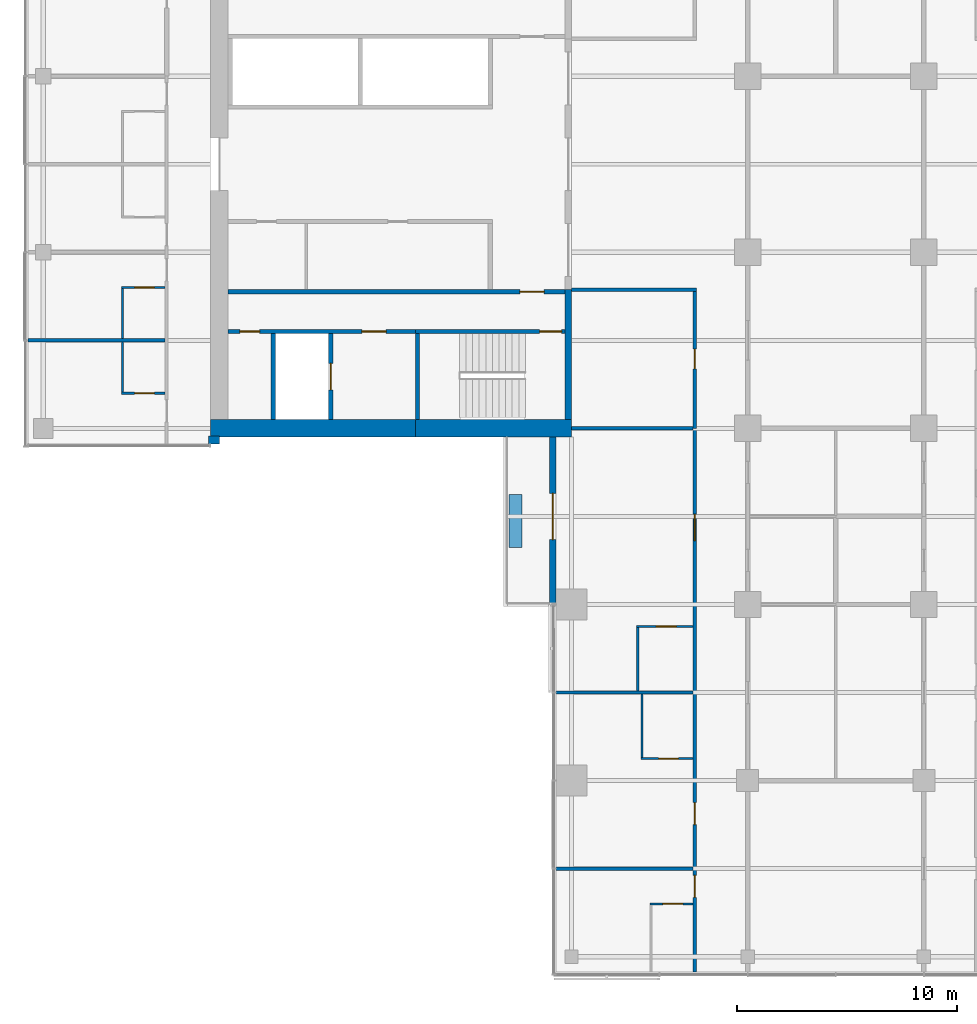
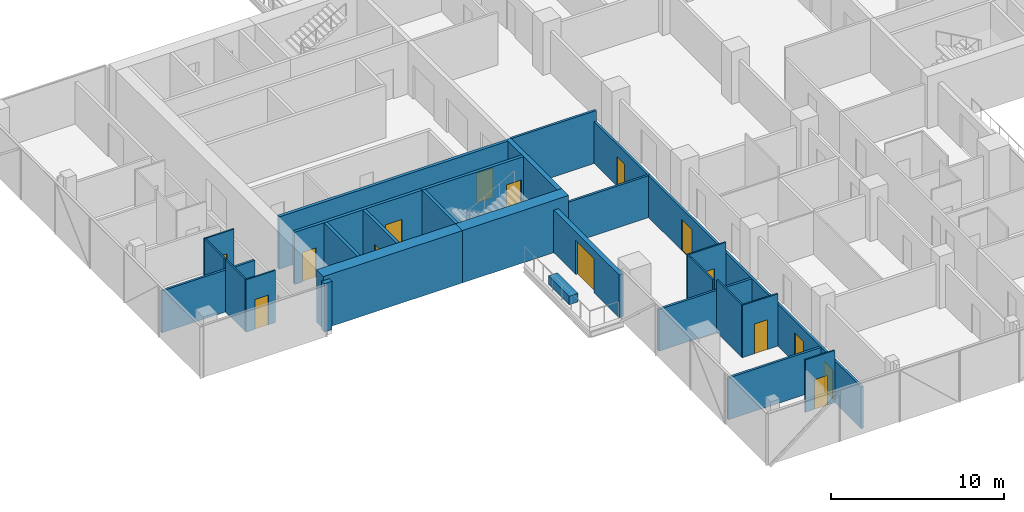
# One storey, part 15 of 27: 28 walls, 15 doors, 15 openings.
"""IFC4 building model written with IfcOpenShell, lengths in metres."""

import ifcopenshell
import ifcopenshell.guid

model = None  # the IFC model being written
_history = None  # IfcOwnerHistory: only IFC2X3 demands one
_inside = {}  # id of a spatial element -> (the spatial element, [elements in it])
_under = {}  # id of a project, library or spatial element -> (it, [spatial elements below it])
_declared = {}  # id of a project -> (the project, [libraries it declares])
_typed = {}  # id of a type object -> (the type object, [elements of that type])
_made_of = {}  # id of a material, layer set ... -> (it, [elements and type objects made of it])


def new_model(schema):
    """Start an empty IFC model of exactly this schema.

    Asked for "IFC4X3", IfcOpenShell would pick the latest addendum, in which some entities
    have other attributes; the version numbers below select the first issue.
    IFC2X3 requires an IfcOwnerHistory on every rooted entity: one is made here for all.
    """
    global model, _history
    if schema == "IFC4X3":
        model = ifcopenshell.file(schema_version=(4, 3, 0, 0))
    else:
        model = ifcopenshell.file(schema=schema)
    _inside.clear()
    _under.clear()
    _declared.clear()
    _typed.clear()
    _made_of.clear()
    _history = None
    if model.schema == "IFC2X3":
        org = make("IfcOrganization", Name="unknown")
        user = make(
            "IfcPersonAndOrganization",
            ThePerson=make("IfcPerson", FamilyName="unknown"),
            TheOrganization=org,
        )
        app = make(
            "IfcApplication",
            ApplicationDeveloper=org,
            Version="unknown",
            ApplicationFullName="unknown",
            ApplicationIdentifier="unknown",
        )
        _history = make(
            "IfcOwnerHistory",
            OwningUser=user,
            OwningApplication=app,
            ChangeAction="ADDED",
            CreationDate=0,
        )
    return model


def make(cls, **values):
    """One entity of the class cls with the attributes given. An attribute that is None is left unset."""
    return model.create_entity(
        cls, **{name: value for name, value in values.items() if value is not None}
    )


def rooted(cls, **values):
    """An entity with a GlobalId (a new one), such as an element, a storey or a relation."""
    return make(cls, GlobalId=ifcopenshell.guid.new(), OwnerHistory=_history, **values)


def si_unit(unit_type, name, prefix=None):
    """IfcSIUnit, for example si_unit("LENGTHUNIT", "METRE", prefix="MILLI")."""
    return make("IfcSIUnit", UnitType=unit_type, Prefix=prefix, Name=name)


def assignment(units):
    """IfcUnitAssignment: the units of a project."""
    return None if units is None else make("IfcUnitAssignment", Units=units)


def point(xyz):
    """IfcCartesianPoint."""
    return None if xyz is None else make("IfcCartesianPoint", Coordinates=xyz)


def direction(xyz):
    """IfcDirection."""
    return None if xyz is None else make("IfcDirection", DirectionRatios=xyz)


def frame(location, z_axis=None, x_axis=None):
    """IfcAxis2Placement3D, a coordinate frame: its origin and axes. An axis left out is left unset."""
    return make(
        "IfcAxis2Placement3D",
        Location=point(location),
        Axis=direction(z_axis),
        RefDirection=direction(x_axis),
    )


def frame_2d(location, x_axis=None):
    """IfcAxis2Placement2D, a coordinate frame in the plane: its origin and x axis."""
    return make(
        "IfcAxis2Placement2D", Location=point(location), RefDirection=direction(x_axis)
    )


def origin():
    """The frame at (0, 0, 0) with its axes left unset."""
    return frame((0.0, 0.0, 0.0))


def place(relative_to, where):
    """IfcLocalPlacement: puts the frame where relative to a parent placement (None: the world)."""
    return make(
        "IfcLocalPlacement", PlacementRelTo=relative_to, RelativePlacement=where
    )


def context(
    kind, dimensions, precision=None, world=None, true_north=None, identifier=None
):
    """IfcGeometricRepresentationContext, for example the 3D "Model" context."""
    return make(
        "IfcGeometricRepresentationContext",
        ContextIdentifier=identifier,
        ContextType=kind,
        CoordinateSpaceDimension=dimensions,
        Precision=precision,
        WorldCoordinateSystem=world,
        TrueNorth=true_north,
    )


def subcontext(parent, identifier, kind, view, scale=None):
    """IfcGeometricRepresentationSubContext, for example "Body" below "Model"."""
    return make(
        "IfcGeometricRepresentationSubContext",
        ContextIdentifier=identifier,
        ContextType=kind,
        ParentContext=parent,
        TargetScale=scale,
        TargetView=view,
    )


def project(units=None, contexts=None):
    """IfcProject with its units and contexts."""
    return rooted(
        "IfcProject",
        Name="project",
        RepresentationContexts=contexts,
        UnitsInContext=assignment(units),
    )


def spatial(cls, under=None, at=None, **own):
    """A site, building, storey or space (cls), placed at a placement, below another one or the project."""
    s = rooted(cls, ObjectPlacement=at, **own)
    if under is not None:
        _under.setdefault(under.id(), (under, []))[1].append(s)
    return s


def profile(cls, at=None, kind="AREA", **sizes):
    """A parametric profile (cls). Its sizes go by their IFC names, for example OverallWidth=200.0."""
    return make(cls, ProfileType=kind, Position=at, **sizes)


def rectangle(**sizes):
    """IfcRectangleProfileDef."""
    return profile("IfcRectangleProfileDef", **sizes)


def extrude(swept, where, along, depth):
    """IfcExtrudedAreaSolid: the profile swept, set in the frame where, extruded along a direction by depth."""
    return make(
        "IfcExtrudedAreaSolid",
        SweptArea=swept,
        Position=where,
        ExtrudedDirection=direction(along),
        Depth=depth,
    )


def shape(context_of_items, identifier, shape_type, items):
    """IfcShapeRepresentation: the items that make up one representation, for example the "Body"."""
    return make(
        "IfcShapeRepresentation",
        ContextOfItems=context_of_items,
        RepresentationIdentifier=identifier,
        RepresentationType=shape_type,
        Items=items,
    )


def material(Name=None, Category=None):
    """IfcMaterial."""
    return make("IfcMaterial", Name=Name, Category=Category)


def layer(
    of_material, thickness, ventilated=None, Name=None, Category=None, Priority=None
):
    """IfcMaterialLayer: one layer of a wall or slab, of a material (None: an air gap)."""
    return make(
        "IfcMaterialLayer",
        Material=of_material,
        LayerThickness=thickness,
        IsVentilated=ventilated,
        Name=Name,
        Category=Category,
        Priority=Priority,
    )


def layer_set(layers, Name=None):
    """IfcMaterialLayerSet."""
    return make("IfcMaterialLayerSet", MaterialLayers=layers, LayerSetName=Name)


def constituent(of_material, Name=None, Category=None, fraction=None):
    """IfcMaterialConstituent: one of the materials an element consists of."""
    return make(
        "IfcMaterialConstituent",
        Name=Name,
        Material=of_material,
        Fraction=fraction,
        Category=Category,
    )


def constituent_set(constituents=None, Name=None):
    """IfcMaterialConstituentSet."""
    return make(
        "IfcMaterialConstituentSet", Name=Name, MaterialConstituents=constituents
    )


def made_of(thing, what):
    """Note that an element or type object is made of a material, layer set ...; save() writes the relation."""
    if what is not None:
        _made_of.setdefault(what.id(), (what, []))[1].append(thing)
    return thing


def type_object(cls, material=None, **own):
    """A type object (cls), such as IfcWallType, which elements share."""
    return made_of(rooted(cls, **own), material)


def element(
    cls,
    number,
    at=None,
    inside=None,
    cuts=None,
    type_object=None,
    material=None,
    context=None,
    identifier="Body",
    shape_type=None,
    held_by="IfcProductDefinitionShape",
    body=None,
    shapes=None,
    **own,
):
    """One element of the class cls, such as IfcWall. Its Tag is "e" and its number.

    at: its placement. inside: the storey or other place that contains it. cuts: it is an
    opening in that element (IfcRelVoidsElement). A single representation is given by context,
    identifier, shape_type and body (its items); several are given by shapes. held_by: the class
    of the entity that holds the representations. save() writes the other relations.
    """
    e = rooted(cls, Tag="e%d" % number, ObjectPlacement=at, **own)
    if body is not None:
        shapes = [shape(context, identifier, shape_type, body)]
    if shapes is not None:
        e.Representation = make(held_by, Representations=shapes)
    if inside is not None:
        _inside.setdefault(inside.id(), (inside, []))[1].append(e)
    if cuts is not None:
        rooted(
            "IfcRelVoidsElement", RelatingBuildingElement=cuts, RelatedOpeningElement=e
        )
    if type_object is not None:
        _typed.setdefault(type_object.id(), (type_object, []))[1].append(e)
    return made_of(e, material)


def fill(opening, filler):
    """IfcRelFillsElement: the door or window that sits in an opening."""
    return rooted(
        "IfcRelFillsElement",
        RelatingOpeningElement=opening,
        RelatedBuildingElement=filler,
    )


def aggregate(whole, parts):
    """IfcRelAggregates: a whole, such as a stair, and the parts it consists of."""
    return rooted("IfcRelAggregates", RelatingObject=whole, RelatedObjects=parts)


def save(model, path):
    """Write the relations noted so far, then the file.

    IfcRelAggregates (storeys below a building ...), IfcRelContainedInSpatialStructure (elements
    in a storey), IfcRelDefinesByType, IfcRelAssociatesMaterial and IfcRelDeclares: one each for
    every whole, place, type object, material and project.
    """
    for whole, parts in _under.values():
        aggregate(whole, parts)
    for where, things in _inside.values():
        rooted(
            "IfcRelContainedInSpatialStructure",
            RelatedElements=things,
            RelatingStructure=where,
        )
    for kind, things in _typed.values():
        rooted("IfcRelDefinesByType", RelatedObjects=things, RelatingType=kind)
    for what, things in _made_of.values():
        rooted("IfcRelAssociatesMaterial", RelatedObjects=things, RelatingMaterial=what)
    for by, libraries in _declared.values():
        rooted("IfcRelDeclares", RelatingContext=by, RelatedDefinitions=libraries)
    model.write(path)


model = new_model("IFC4")

# Units and contexts
model_context = context("Model", 3, precision=1e-05, world=origin(), true_north=direction((0.0, 1.0)))
body_context = subcontext(model_context, "Body", "Model", "MODEL_VIEW")
ifc_project = project(units=[si_unit("LENGTHUNIT", "METRE"), si_unit("AREAUNIT", "SQUARE_METRE"), si_unit("VOLUMEUNIT", "CUBIC_METRE"), si_unit("PLANEANGLEUNIT", "RADIAN"), si_unit("MASSUNIT", "GRAM", prefix="KILO")], contexts=[model_context])

# Site, building, storey
site_placement = place(None, origin())
site = spatial("IfcSite", under=ifc_project, at=site_placement, CompositionType="ELEMENT")
building_placement = place(site_placement, origin())
building = spatial("IfcBuilding", under=site, at=building_placement, Name="Crosswind Convention Tower", CompositionType="ELEMENT")
storey_placement = place(building_placement, frame((0.0, 0.0, 79.39990234375)))
storey = spatial("IfcBuildingStorey", under=building, at=storey_placement, Name="L14", CompositionType="ELEMENT", Elevation=79.39990234375)

# Wall
ifc_material_1 = material(Name="Plasterboard partition", Category="gypsum")
ifc_layer_1 = layer(ifc_material_1, 0.14990234375)
ifc_layer_set_1 = layer_set([ifc_layer_1], Name="CORRIDOR WALL 150")
wall_type_1 = type_object("IfcWallType", Name="CORRIDOR WALL 150", PredefinedType="PARTITIONING", material=ifc_layer_set_1)
wall_1_placement = place(storey_placement, frame((113.0, 94.300048828125, 0.0), z_axis=(0.0, 0.0, 1.0), x_axis=(1.0, 0.0, 0.0)))
element("IfcWall", 1, at=wall_1_placement, inside=storey, type_object=wall_type_1, Name="Corridor Wall 23", PredefinedType="PARTITIONING", context=body_context, shape_type="SweptSolid", body=[
    extrude(rectangle(XDim=5.675048828125, YDim=0.14990234375, at=frame_2d((2.83740234375, 0.0))), origin(), (0.0, 0.0, 1.0), 3.7001953125),
])

# Wall, opening, door
wall_2_placement = place(storey_placement, frame((118.60009765625, 88.0, 0.0), z_axis=(0.0, 0.0, 1.0), x_axis=(0.0, 1.0, 0.0)))
wall_2 = element("IfcWall", 2, at=wall_2_placement, inside=storey, type_object=wall_type_1, Name="Corridor Wall 74", PredefinedType="PARTITIONING", context=body_context, shape_type="SweptSolid", body=[
    extrude(rectangle(XDim=6.22509765625, YDim=0.14990234375, at=frame_2d((3.112548828125, 0.0))), origin(), (0.0, 0.0, 1.0), 2.95654296875),
])
opening_1_placement = place(wall_2_placement, frame((2.699951171875, 0.0, 0.0)))
opening_1 = element("IfcOpeningElement", 3, at=opening_1_placement, cuts=wall_2, Name="Opening 14.004", PredefinedType="OPENING", context=body_context, shape_type="SweptSolid", body=[
    extrude(rectangle(XDim=0.89990234375, YDim=2.10009765625, at=frame_2d((0.449951171875, 1.050048828125))), frame((0.0, 0.0849609375, 0.0), z_axis=(0.0, -1.0, 0.0), x_axis=(1.0, 0.0, 0.0)), (0.0, 0.0, 1.0), 0.169921875),
])
ifc_material_2 = material(Name="Timber door", Category="wood")
door_type_1 = type_object("IfcDoorType", Name="WC DOOR 900X2100", OperationType="NOTDEFINED", PredefinedType="DOOR", material=ifc_material_2)
door_1_placement = place(opening_1_placement, origin())
door_1 = element("IfcDoor", 4, at=door_1_placement, inside=storey, type_object=door_type_1, Name="Door 14.004", ObjectType="D7", OperationType="SINGLE_SWING_RIGHT", OverallHeight=2.10009765625, OverallWidth=0.89990234375, PredefinedType="DOOR", context=body_context, shape_type="SweptSolid", body=[
    extrude(rectangle(XDim=0.89990234375, YDim=2.10009765625, at=frame_2d((0.449951171875, 1.050048828125))), frame((0.0, 0.02490234375, 0.0), z_axis=(0.0, -1.0, 0.0), x_axis=(1.0, 0.0, 0.0)), (0.0, 0.0, 1.0), 0.050048828125),
])
fill(opening_1, door_1)

# Wall
ifc_material_3 = material(Name="Concrete C50/60", Category="concrete")
ifc_layer_2 = layer(ifc_material_3, 0.300048828125)
ifc_layer_set_2 = layer_set([ifc_layer_2], Name="Concrete C50/60")
wall_type_2 = type_object("IfcWallType", Name="Concrete inner core wall 300", PredefinedType="SHEAR", material=ifc_layer_set_2)
wall_3_placement = place(storey_placement, frame((112.85009765625, 94.300048828125, 0.0), z_axis=(0.0, 0.0, 1.0), x_axis=(0.0, -1.0, 0.0)))
element("IfcWall", 5, at=wall_3_placement, inside=storey, type_object=wall_type_2, Name="Wall EP W L14", PredefinedType="SHEAR", context=body_context, shape_type="SweptSolid", body=[
    extrude(rectangle(XDim=5.900146484375, YDim=0.300048828125, at=frame_2d((2.9501953125, 0.0))), origin(), (0.0, 0.0, 1.0), 3.7001953125),
])

# Wall, opening, door
ifc_layer_3 = layer(ifc_material_3, 0.199951171875)
ifc_layer_set_3 = layer_set([ifc_layer_3], Name="Concrete C50/60")
wall_type_3 = type_object("IfcWallType", Name="Concrete shaft and stair wall 200", PredefinedType="SHEAR", material=ifc_layer_set_3)
wall_4_placement = place(storey_placement, frame((112.699951171875, 94.199951171875, 0.0), z_axis=(0.0, 0.0, 1.0), x_axis=(-1.0, 0.0, 0.0)))
wall_4 = element("IfcWall", 6, at=wall_4_placement, inside=storey, type_object=wall_type_3, Name="Wall HP W L14", PredefinedType="SHEAR", context=body_context, shape_type="SweptSolid", body=[
    extrude(rectangle(XDim=15.300048828125, YDim=0.199951171875, at=frame_2d((7.64990234375, 0.0))), origin(), (0.0, 0.0, 1.0), 3.7001953125),
])
opening_2_placement = place(wall_4_placement, frame((0.949951171875, 0.0, 0.0)))
opening_2 = element("IfcOpeningElement", 7, at=opening_2_placement, cuts=wall_4, Name="Opening D104", PredefinedType="OPENING", context=body_context, shape_type="SweptSolid", body=[
    extrude(rectangle(XDim=1.10009765625, YDim=2.10009765625, at=frame_2d((0.550048828125, 1.050048828125))), frame((0.0, 0.10986328125, 0.0), z_axis=(0.0, -1.0, 0.0), x_axis=(1.0, 0.0, 0.0)), (0.0, 0.0, 1.0), 0.219970703125),
])
ifc_material_4 = material(Name="Steel fire door", Category="steel")
door_type_2 = type_object("IfcDoorType", Name="Fire-rated single door 1100x2100", OperationType="NOTDEFINED", PredefinedType="DOOR", material=ifc_material_4)
door_2_placement = place(opening_2_placement, origin())
door_2 = element("IfcDoor", 8, at=door_2_placement, inside=storey, type_object=door_type_2, Name="Corridor door L14", ObjectType="D104", OperationType="SINGLE_SWING_LEFT", OverallHeight=2.10009765625, OverallWidth=1.10009765625, PredefinedType="DOOR", context=body_context, shape_type="SweptSolid", body=[
    extrude(rectangle(XDim=1.10009765625, YDim=2.10009765625, at=frame_2d((0.550048828125, 1.050048828125))), frame((0.0, 0.02490234375, 0.0), z_axis=(0.0, -1.0, 0.0), x_axis=(1.0, 0.0, 0.0)), (0.0, 0.0, 1.0), 0.050048828125),
])
fill(opening_2, door_2)

# Wall
wall_5_placement = place(storey_placement, frame((106.0, 92.300048828125, 0.0), z_axis=(0.0, 0.0, 1.0), x_axis=(0.0, -1.0, 0.0)))
element("IfcWall", 9, at=wall_5_placement, inside=storey, type_object=wall_type_3, Name="Wall PSE W L14", PredefinedType="SHEAR", context=body_context, shape_type="SweptSolid", body=[
    extrude(rectangle(XDim=3.900146484375, YDim=0.199951171875, at=frame_2d((1.9501953125, 0.0))), origin(), (0.0, 0.0, 1.0), 3.7001953125),
])

# Wall, opening, door
wall_6_placement = place(storey_placement, frame((102.050048828125, 92.300048828125, 0.0), z_axis=(0.0, 0.0, 1.0), x_axis=(0.0, -1.0, 0.0)))
wall_6 = element("IfcWall", 10, at=wall_6_placement, inside=storey, type_object=wall_type_3, Name="Wall PFLW W L14", PredefinedType="SHEAR", context=body_context, shape_type="SweptSolid", body=[
    extrude(rectangle(XDim=3.900146484375, YDim=0.199951171875, at=frame_2d((1.9501953125, 0.0))), origin(), (0.0, 0.0, 1.0), 3.7001953125),
])
opening_3_placement = place(wall_6_placement, frame((1.35009765625, 0.0, 0.0)))
opening_3 = element("IfcOpeningElement", 11, at=opening_3_placement, cuts=wall_6, Name="Opening LD1", PredefinedType="OPENING", context=body_context, shape_type="SweptSolid", body=[
    extrude(rectangle(XDim=1.199951171875, YDim=2.10009765625, at=frame_2d((0.60009765625, 1.050048828125))), frame((0.0, 0.10986328125, 0.0), z_axis=(0.0, -1.0, 0.0), x_axis=(1.0, 0.0, 0.0)), (0.0, 0.0, 1.0), 0.219970703125),
])
ifc_material_5 = material(Name="Stainless steel", Category="steel")
door_type_3 = type_object("IfcDoorType", Name="Lift landing door 1200x2100", OperationType="DOUBLE_DOOR_SLIDING", PredefinedType="DOOR", material=ifc_material_5)
door_3_placement = place(opening_3_placement, origin())
door_3 = element("IfcDoor", 12, at=door_3_placement, inside=storey, type_object=door_type_3, Name="Landing door FF2 L14", ObjectType="LD1", OperationType="DOUBLE_DOOR_SLIDING", OverallHeight=2.10009765625, OverallWidth=1.199951171875, PredefinedType="DOOR", context=body_context, shape_type="SweptSolid", body=[
    extrude(rectangle(XDim=1.199951171875, YDim=2.10009765625, at=frame_2d((0.60009765625, 1.050048828125))), frame((0.0, 0.02490234375, 0.0), z_axis=(0.0, -1.0, 0.0), x_axis=(1.0, 0.0, 0.0)), (0.0, 0.0, 1.0), 0.050048828125),
])
fill(opening_3, door_3)

# Wall
wall_7_placement = place(storey_placement, frame((99.449951171875, 92.300048828125, 0.0), z_axis=(0.0, 0.0, 1.0), x_axis=(0.0, -1.0, 0.0)))
element("IfcWall", 13, at=wall_7_placement, inside=storey, type_object=wall_type_3, Name="Wall PFSE W L14", PredefinedType="SHEAR", context=body_context, shape_type="SweptSolid", body=[
    extrude(rectangle(XDim=3.900146484375, YDim=0.199951171875, at=frame_2d((1.9501953125, 0.0))), origin(), (0.0, 0.0, 1.0), 3.7001953125),
])

# Wall, opening, door
wall_8_placement = place(storey_placement, frame((112.699951171875, 92.39990234375, 0.0), z_axis=(0.0, 0.0, 1.0), x_axis=(-1.0, 0.0, 0.0)))
wall_8 = element("IfcWall", 14, at=wall_8_placement, inside=storey, type_object=wall_type_3, Name="Wall PCW W L14", PredefinedType="SHEAR", context=body_context, shape_type="SweptSolid", body=[
    extrude(rectangle(XDim=6.800048828125, YDim=0.199951171875, at=frame_2d((3.39990234375, 0.0))), origin(), (0.0, 0.0, 1.0), 3.7001953125),
])
opening_4_placement = place(wall_8_placement, frame((0.14990234375, 0.0, 0.0)))
opening_4 = element("IfcOpeningElement", 15, at=opening_4_placement, cuts=wall_8, Name="Opening D103", PredefinedType="OPENING", context=body_context, shape_type="SweptSolid", body=[
    extrude(rectangle(XDim=1.0, YDim=2.10009765625, at=frame_2d((0.5, 1.050048828125))), frame((0.0, 0.10986328125, 0.0), z_axis=(0.0, -1.0, 0.0), x_axis=(1.0, 0.0, 0.0)), (0.0, 0.0, 1.0), 0.219970703125),
])
door_type_4 = type_object("IfcDoorType", Name="Fire-rated single door 1000x2100", OperationType="NOTDEFINED", PredefinedType="DOOR", material=ifc_material_4)
door_4_placement = place(opening_4_placement, origin())
door_4 = element("IfcDoor", 16, at=door_4_placement, inside=storey, type_object=door_type_4, Name="Stair ST3 door L14", ObjectType="D103", OperationType="SINGLE_SWING_LEFT", OverallHeight=2.10009765625, OverallWidth=1.0, PredefinedType="DOOR", context=body_context, shape_type="SweptSolid", body=[
    extrude(rectangle(XDim=1.0, YDim=2.10009765625, at=frame_2d((0.5, 1.050048828125))), frame((0.0, 0.02490234375, 0.0), z_axis=(0.0, -1.0, 0.0), x_axis=(1.0, 0.0, 0.0)), (0.0, 0.0, 1.0), 0.050048828125),
])
fill(opening_4, door_4)

# Wall, openings, doors
wall_9_placement = place(storey_placement, frame((105.89990234375, 92.39990234375, 0.0), z_axis=(0.0, 0.0, 1.0), x_axis=(-1.0, 0.0, 0.0)))
wall_9 = element("IfcWall", 17, at=wall_9_placement, inside=storey, type_object=wall_type_3, Name="Wall PCX W L14", PredefinedType="SHEAR", context=body_context, shape_type="SweptSolid", body=[
    extrude(rectangle(XDim=8.5, YDim=0.199951171875, at=frame_2d((4.25, 0.0))), origin(), (0.0, 0.0, 1.0), 3.7001953125),
])
opening_5_placement = place(wall_9_placement, frame((1.324951171875, 0.0, 0.0)))
opening_5 = element("IfcOpeningElement", 18, at=opening_5_placement, cuts=wall_9, Name="Opening D104", PredefinedType="OPENING", context=body_context, shape_type="SweptSolid", body=[
    extrude(rectangle(XDim=1.10009765625, YDim=2.10009765625, at=frame_2d((0.550048828125, 1.050048828125))), frame((0.0, 0.10986328125, 0.0), z_axis=(0.0, -1.0, 0.0), x_axis=(1.0, 0.0, 0.0)), (0.0, 0.0, 1.0), 0.219970703125),
])
opening_6_placement = place(wall_9_placement, frame((7.074951171875, 0.0, 0.0)))
opening_6 = element("IfcOpeningElement", 19, at=opening_6_placement, cuts=wall_9, Name="Opening D106", PredefinedType="OPENING", context=body_context, shape_type="SweptSolid", body=[
    extrude(rectangle(XDim=0.89990234375, YDim=2.10009765625, at=frame_2d((0.449951171875, 1.050048828125))), frame((0.0, 0.10986328125, 0.0), z_axis=(0.0, -1.0, 0.0), x_axis=(1.0, 0.0, 0.0)), (0.0, 0.0, 1.0), 0.219970703125),
])
door_5_placement = place(opening_5_placement, origin())
door_5 = element("IfcDoor", 20, at=door_5_placement, inside=storey, type_object=door_type_2, Name="Fire-fighting lobby FF2 door L14", ObjectType="D104", OperationType="SINGLE_SWING_RIGHT", OverallHeight=2.10009765625, OverallWidth=1.10009765625, PredefinedType="DOOR", context=body_context, shape_type="SweptSolid", body=[
    extrude(rectangle(XDim=1.10009765625, YDim=2.10009765625, at=frame_2d((0.550048828125, 1.050048828125))), frame((0.0, 0.02490234375, 0.0), z_axis=(0.0, -1.0, 0.0), x_axis=(1.0, 0.0, 0.0)), (0.0, 0.0, 1.0), 0.050048828125),
])
fill(opening_5, door_5)
door_type_5 = type_object("IfcDoorType", Name="Single leaf door 900x2100", OperationType="NOTDEFINED", PredefinedType="DOOR", material=ifc_material_2)
door_6_placement = place(opening_6_placement, origin())
door_6 = element("IfcDoor", 21, at=door_6_placement, inside=storey, type_object=door_type_5, Name="Door to comms room L14", ObjectType="D106", OperationType="SINGLE_SWING_RIGHT", OverallHeight=2.10009765625, OverallWidth=0.89990234375, PredefinedType="DOOR", context=body_context, shape_type="SweptSolid", body=[
    extrude(rectangle(XDim=0.89990234375, YDim=2.10009765625, at=frame_2d((0.449951171875, 1.050048828125))), frame((0.0, 0.02490234375, 0.0), z_axis=(0.0, -1.0, 0.0), x_axis=(1.0, 0.0, 0.0)), (0.0, 0.0, 1.0), 0.050048828125),
])
fill(opening_6, door_6)

# Walls
ifc_material_6 = material(Name="Acoustic plasterboard partition", Category="gypsum")
ifc_layer_4 = layer(ifc_material_6, 0.14990234375)
ifc_layer_set_4 = layer_set([ifc_layer_4], Name="GUEST ROOM WALL 150")
wall_type_4 = type_object("IfcWallType", Name="GUEST ROOM WALL 150", PredefinedType="PARTITIONING", material=ifc_layer_set_4)
for number, where, z_axis, x_axis, name in (
    (22, (112.300048828125, 68.0, 0.0), (0.0, 0.0, 1.0), (1.0, 0.0, 0.0), "Guest Room Wall 2"),
    (23, (112.300048828125, 76.0, 0.0), (0.0, 0.0, 1.0), (1.0, 0.0, 0.0), "Guest Room Wall 7"),
):
    element("IfcWall", number, at=place(storey_placement, frame(where, z_axis=z_axis, x_axis=x_axis)), inside=storey, type_object=wall_type_4, Name=name, PredefinedType="PARTITIONING", context=body_context, shape_type="SweptSolid", body=[
        extrude(rectangle(XDim=6.224853515625, YDim=0.14990234375, at=frame_2d((3.1123046875, 0.0))), origin(), (0.0, 0.0, 1.0), 2.962890625),
    ])
wall_10_placement = place(storey_placement, frame((113.0, 88.0, 0.0), z_axis=(0.0, 0.0, 1.0), x_axis=(1.0, 0.0, 0.0)))
element("IfcWall", 24, at=wall_10_placement, inside=storey, type_object=wall_type_4, Name="Guest Room Wall 17", PredefinedType="PARTITIONING", context=body_context, shape_type="SweptSolid", body=[
    extrude(rectangle(XDim=5.52490234375, YDim=0.14990234375, at=frame_2d((2.762451171875, 0.0))), origin(), (0.0, 0.0, 1.0), 2.95654296875),
])
wall_11_placement = place(storey_placement, frame((88.300048828125, 92.0, 0.0), z_axis=(0.0, 0.0, 1.0), x_axis=(1.0, 0.0, 0.0)))
element("IfcWall", 25, at=wall_11_placement, inside=storey, type_object=wall_type_4, Name="Guest Room Wall 21", PredefinedType="PARTITIONING", context=body_context, shape_type="SweptSolid", body=[
    extrude(rectangle(XDim=6.224853515625, YDim=0.14990234375, at=frame_2d((3.1123046875, 0.0))), origin(), (0.0, 0.0, 1.0), 2.962890625),
])

# Wall, openings, doors
wall_12_placement = place(storey_placement, frame((118.60009765625, 63.300048828125, 0.0), z_axis=(0.0, 0.0, 1.0), x_axis=(0.0, 1.0, 0.0)))
wall_12 = element("IfcWall", 26, at=wall_12_placement, inside=storey, type_object=wall_type_4, Name="Guest Room Wall 73", PredefinedType="PARTITIONING", context=body_context, shape_type="SweptSolid", body=[
    extrude(rectangle(XDim=24.699951171875, YDim=0.14990234375, at=frame_2d((12.35009765625, 0.0))), origin(), (0.0, 0.0, 1.0), 2.95654296875),
])
opening_7_placement = place(wall_12_placement, frame((19.60009765625, 0.0, 0.0)))
opening_7 = element("IfcOpeningElement", 27, at=opening_7_placement, cuts=wall_12, Name="Opening 14.027", PredefinedType="OPENING", context=body_context, shape_type="SweptSolid", body=[
    extrude(rectangle(XDim=1.199951171875, YDim=2.199951171875, at=frame_2d((0.60009765625, 1.10009765625))), frame((0.0, 0.0849609375, 0.0), z_axis=(0.0, -1.0, 0.0), x_axis=(1.0, 0.0, 0.0)), (0.0, 0.0, 1.0), 0.169921875),
])
opening_8_placement = place(wall_12_placement, frame((6.699951171875, 0.0, 0.0)))
opening_8 = element("IfcOpeningElement", 28, at=opening_8_placement, cuts=wall_12, Name="Opening 14.029", PredefinedType="OPENING", context=body_context, shape_type="SweptSolid", body=[
    extrude(rectangle(XDim=1.0, YDim=2.10009765625, at=frame_2d((0.5, 1.050048828125))), frame((0.0, 0.0849609375, 0.0), z_axis=(0.0, -1.0, 0.0), x_axis=(1.0, 0.0, 0.0)), (0.0, 0.0, 1.0), 0.169921875),
])
opening_9_placement = place(wall_12_placement, frame((3.39990234375, 0.0, 0.0)))
opening_9 = element("IfcOpeningElement", 29, at=opening_9_placement, cuts=wall_12, Name="Opening 14.031", PredefinedType="OPENING", context=body_context, shape_type="SweptSolid", body=[
    extrude(rectangle(XDim=1.0, YDim=2.10009765625, at=frame_2d((0.5, 1.050048828125))), frame((0.0, 0.0849609375, 0.0), z_axis=(0.0, -1.0, 0.0), x_axis=(1.0, 0.0, 0.0)), (0.0, 0.0, 1.0), 0.169921875),
])
ifc_material_7 = material(Name="Timber fire door", Category="wood")
door_type_6 = type_object("IfcDoorType", Name="GUEST ROOM DOOR 1000X2100", OperationType="NOTDEFINED", PredefinedType="DOOR", material=ifc_material_7)
door_7_placement = place(opening_8_placement, origin())
door_7 = element("IfcDoor", 30, at=door_7_placement, inside=storey, type_object=door_type_6, Name="Door 14.029", ObjectType="D1", OperationType="SINGLE_SWING_RIGHT", OverallHeight=2.10009765625, OverallWidth=1.0, PredefinedType="DOOR", context=body_context, shape_type="SweptSolid", body=[
    extrude(rectangle(XDim=1.0, YDim=2.10009765625, at=frame_2d((0.5, 1.050048828125))), frame((0.0, 0.02490234375, 0.0), z_axis=(0.0, -1.0, 0.0), x_axis=(1.0, 0.0, 0.0)), (0.0, 0.0, 1.0), 0.050048828125),
])
fill(opening_8, door_7)
door_8_placement = place(opening_9_placement, origin())
door_8 = element("IfcDoor", 31, at=door_8_placement, inside=storey, type_object=door_type_6, Name="Door 14.031", ObjectType="D1", OperationType="SINGLE_SWING_RIGHT", OverallHeight=2.10009765625, OverallWidth=1.0, PredefinedType="DOOR", context=body_context, shape_type="SweptSolid", body=[
    extrude(rectangle(XDim=1.0, YDim=2.10009765625, at=frame_2d((0.5, 1.050048828125))), frame((0.0, 0.02490234375, 0.0), z_axis=(0.0, -1.0, 0.0), x_axis=(1.0, 0.0, 0.0)), (0.0, 0.0, 1.0), 0.050048828125),
])
fill(opening_9, door_8)
door_type_7 = type_object("IfcDoorType", Name="SUITE DOOR 1200X2200", OperationType="DOUBLE_DOOR_SINGLE_SWING", PredefinedType="DOOR", material=ifc_material_7)
door_9_placement = place(opening_7_placement, origin())
door_9 = element("IfcDoor", 32, at=door_9_placement, inside=storey, type_object=door_type_7, Name="Door 14.027", ObjectType="D14", OperationType="DOUBLE_DOOR_SINGLE_SWING", OverallHeight=2.199951171875, OverallWidth=1.199951171875, PredefinedType="DOOR", context=body_context, shape_type="SweptSolid", body=[
    extrude(rectangle(XDim=1.199951171875, YDim=2.199951171875, at=frame_2d((0.60009765625, 1.10009765625))), frame((0.0, 0.02490234375, 0.0), z_axis=(0.0, -1.0, 0.0), x_axis=(1.0, 0.0, 0.0)), (0.0, 0.0, 1.0), 0.050048828125),
])
fill(opening_7, door_9)

# Walls
ifc_material_8 = material(Name="Concrete C30/37", Category="concrete")
ifc_layer_5 = layer(ifc_material_8, 0.60009765625)
ifc_layer_set_5 = layer_set([ifc_layer_5], Name="Concrete C30/37")
wall_type_5 = type_object("IfcWallType", Name="PLANTER BOX WALL 600", PredefinedType="SOLIDWALL", material=ifc_layer_set_5)
wall_13_placement = place(storey_placement, frame((110.449951171875, 85.0, 0.0), z_axis=(0.0, 0.0, 1.0), x_axis=(0.0, -1.0, 0.0)))
element("IfcWall", 33, at=wall_13_placement, inside=storey, type_object=wall_type_5, Name="PLANTER L14 S-W.1-1", PredefinedType="SOLIDWALL", context=body_context, shape_type="SweptSolid", body=[
    extrude(rectangle(XDim=2.39990234375, YDim=0.60009765625, at=frame_2d((1.199951171875, 0.0))), origin(), (0.0, 0.0, 1.0), 0.60009765625),
])
ifc_material_9 = material(Name="Terracotta rainscreen", Category="ceramic")
ifc_layer_6 = layer(ifc_material_9, 0.02001953125)
ifc_material_10 = material(Name="Mineral wool insulation", Category="insulation")
ifc_layer_7 = layer(ifc_material_10, 0.10009765625)
ifc_material_11 = material(Name="Concrete blockwork", Category="masonry")
ifc_layer_8 = layer(ifc_material_11, 0.236083984375)
ifc_layer_set_6 = layer_set([ifc_layer_6, ifc_layer_7, ifc_layer_8], Name="TERRACOTTA CORNER INFILL WALL 356")
wall_type_6 = type_object("IfcWallType", Name="TERRACOTTA CORNER INFILL WALL 356", PredefinedType="SOLIDWALL", material=ifc_layer_set_6)
wall_14_placement = place(storey_placement, frame((96.4951171875, 87.47802734375, 0.0), z_axis=(0.0, 0.0, 1.0), x_axis=(1.0, 0.0, 0.0)))
element("IfcWall", 34, at=wall_14_placement, inside=storey, type_object=wall_type_6, Name="Core corner infill wall L14 3", PredefinedType="SOLIDWALL", context=body_context, shape_type="SweptSolid", body=[
    extrude(rectangle(XDim=0.5048828125, YDim=0.35595703125, at=frame_2d((0.25244140625, 0.0))), origin(), (0.0, 0.0, 1.0), 3.420166015625),
])

# Wall, opening, door
ifc_layer_9 = layer(ifc_material_9, 0.02001953125)
ifc_layer_10 = layer(ifc_material_10, 0.10009765625)
ifc_layer_11 = layer(ifc_material_11, 0.179931640625)
ifc_layer_set_7 = layer_set([ifc_layer_9, ifc_layer_10, ifc_layer_11], Name="TERRACOTTA INFILL WALL 300")
wall_type_7 = type_object("IfcWallType", Name="TERRACOTTA INFILL WALL 300", PredefinedType="SOLIDWALL", material=ifc_layer_set_7)
wall_15_placement = place(storey_placement, frame((112.14990234375, 87.60009765625, 0.0), z_axis=(0.0, 0.0, 1.0), x_axis=(0.0, -1.0, 0.0)))
wall_15 = element("IfcWall", 35, at=wall_15_placement, inside=storey, type_object=wall_type_7, Name="Notch front wall L14 S-W.1-1", PredefinedType="SOLIDWALL", context=body_context, shape_type="SweptSolid", body=[
    extrude(rectangle(XDim=7.567626953125, YDim=0.300048828125, at=frame_2d((3.78369140625, 0.0))), origin(), (0.0, 0.0, 1.0), 3.013671875),
])
opening_10_placement = place(wall_15_placement, frame((2.550048828125, 0.0, 0.0)))
opening_10 = element("IfcOpeningElement", 36, at=opening_10_placement, cuts=wall_15, Name="Opening D141", PredefinedType="OPENING", context=body_context, shape_type="SweptSolid", body=[
    extrude(rectangle(XDim=2.10009765625, YDim=2.39990234375, at=frame_2d((1.050048828125, 1.199951171875))), frame((0.0, 0.159912109375, 0.0), z_axis=(0.0, -1.0, 0.0), x_axis=(1.0, 0.0, 0.0)), (0.0, 0.0, 1.0), 0.320068359375),
])
ifc_material_12 = material(Name="Aluminium glazed door", Category="aluminium")
door_type_8 = type_object("IfcDoorType", Name="BALCONY SLIDING DOOR 2100X2400", OperationType="SLIDING_TO_LEFT", PredefinedType="DOOR", material=ifc_material_12)
door_10_placement = place(opening_10_placement, frame((2.10009765625, 0.0, 0.0), z_axis=(0.0, 0.0, 1.0), x_axis=(-1.0, 0.0, 0.0)))
door_10 = element("IfcDoor", 37, at=door_10_placement, inside=storey, type_object=door_type_8, Name="D141 balcony door L14 S-W.1-1", ObjectType="D141", OperationType="SLIDING_TO_LEFT", OverallHeight=2.39990234375, OverallWidth=2.10009765625, PredefinedType="DOOR", context=body_context, shape_type="SweptSolid", body=[
    extrude(rectangle(XDim=2.10009765625, YDim=2.39990234375, at=frame_2d((1.050048828125, 1.199951171875))), frame((0.0, 0.02490234375, 0.0), z_axis=(0.0, -1.0, 0.0), x_axis=(1.0, 0.0, 0.0)), (0.0, 0.0, 1.0), 0.050048828125),
])
fill(opening_10, door_10)

# Walls
ifc_material_13 = material(Name="Concrete C60/75", Category="concrete")
ifc_constituent_1 = constituent(ifc_material_13, Name="Structure")
ifc_constituent_2 = constituent(ifc_material_9, Name="Facing")
ifc_constituent_set = constituent_set(constituents=[ifc_constituent_1, ifc_constituent_2], Name="Concrete C60/75, Terracotta rainscreen")
wall_type_8 = type_object("IfcWallType", Name="Terracotta rainscreen on concrete core wall 800", PredefinedType="SHEAR", material=ifc_constituent_set)
wall_16_placement = place(storey_placement, frame((113.0, 88.0, 0.0), z_axis=(0.0, 0.0, 1.0), x_axis=(-1.0, 0.0, 0.0)))
element("IfcWall", 38, at=wall_16_placement, inside=storey, type_object=wall_type_8, Name="Wall N1 W L14", PredefinedType="SHEAR", context=body_context, shape_type="SweptSolid", body=[
    extrude(rectangle(XDim=7.10009765625, YDim=0.800048828125, at=frame_2d((3.550048828125, 0.0))), origin(), (0.0, 0.0, 1.0), 3.7001953125),
])
wall_17_placement = place(storey_placement, frame((105.89990234375, 88.0, 0.0), z_axis=(0.0, 0.0, 1.0), x_axis=(-1.0, 0.0, 0.0)))
element("IfcWall", 39, at=wall_17_placement, inside=storey, type_object=wall_type_8, Name="Wall N2 W L14", PredefinedType="SHEAR", context=body_context, shape_type="SweptSolid", body=[
    extrude(rectangle(XDim=9.2998046875, YDim=0.800048828125, at=frame_2d((4.64990234375, 0.0))), origin(), (0.0, 0.0, 1.0), 3.7001953125),
])

# Wall, opening, door
ifc_material_14 = material(Name="Water-resistant plasterboard partition", Category="gypsum")
ifc_layer_12 = layer(ifc_material_14, 0.10009765625)
ifc_layer_set_8 = layer_set([ifc_layer_12], Name="WET ROOM PARTITION 100")
wall_type_9 = type_object("IfcWallType", Name="WET ROOM PARTITION 100", PredefinedType="PLUMBINGWALL", material=ifc_layer_set_8)
wall_18_placement = place(storey_placement, frame((116.550048828125, 66.39990234375, 0.0), z_axis=(0.0, 0.0, 1.0), x_axis=(1.0, 0.0, 0.0)))
wall_18 = element("IfcWall", 40, at=wall_18_placement, inside=storey, type_object=wall_type_9, Name="Wet Room Partition 1", PredefinedType="PLUMBINGWALL", context=body_context, shape_type="SweptSolid", body=[
    extrude(rectangle(XDim=1.974853515625, YDim=0.10009765625, at=frame_2d((0.9873046875, 0.0))), origin(), (0.0, 0.0, 1.0), 3.7001953125),
])
opening_11_placement = place(wall_18_placement, frame((0.60009765625, 0.0, 0.0)))
opening_11 = element("IfcOpeningElement", 41, at=opening_11_placement, cuts=wall_18, Name="Opening 14.032", PredefinedType="OPENING", context=body_context, shape_type="SweptSolid", body=[
    extrude(rectangle(XDim=0.89990234375, YDim=2.10009765625, at=frame_2d((0.449951171875, 1.050048828125))), frame((0.0, 0.06005859375, 0.0), z_axis=(0.0, -1.0, 0.0), x_axis=(1.0, 0.0, 0.0)), (0.0, 0.0, 1.0), 0.1201171875),
])
door_type_9 = type_object("IfcDoorType", Name="EN-SUITE DOOR 900X2100", OperationType="NOTDEFINED", PredefinedType="DOOR", material=ifc_material_2)
door_11_placement = place(opening_11_placement, frame((0.89990234375, 0.0, 0.0), z_axis=(0.0, 0.0, 1.0), x_axis=(-1.0, 0.0, 0.0)))
door_11 = element("IfcDoor", 42, at=door_11_placement, inside=storey, type_object=door_type_9, Name="Door 14.032", ObjectType="D2", OperationType="SINGLE_SWING_LEFT", OverallHeight=2.10009765625, OverallWidth=0.89990234375, PredefinedType="DOOR", context=body_context, shape_type="SweptSolid", body=[
    extrude(rectangle(XDim=0.89990234375, YDim=2.10009765625, at=frame_2d((0.449951171875, 1.050048828125))), frame((0.0, 0.02490234375, 0.0), z_axis=(0.0, -1.0, 0.0), x_axis=(1.0, 0.0, 0.0)), (0.0, 0.0, 1.0), 0.050048828125),
])
fill(opening_11, door_11)

wall_19_placement = place(storey_placement, frame((116.14990234375, 73.0, 0.0), z_axis=(0.0, 0.0, 1.0), x_axis=(1.0, 0.0, 0.0)))
wall_19 = element("IfcWall", 43, at=wall_19_placement, inside=storey, type_object=wall_type_9, Name="Wet Room Partition 5", PredefinedType="PLUMBINGWALL", context=body_context, shape_type="SweptSolid", body=[
    extrude(rectangle(XDim=2.375, YDim=0.10009765625, at=frame_2d((1.1875, 0.0))), origin(), (0.0, 0.0, 1.0), 3.7001953125),
])
opening_12_placement = place(wall_19_placement, frame((0.800048828125, 0.0, 0.0)))
opening_12 = element("IfcOpeningElement", 44, at=opening_12_placement, cuts=wall_19, Name="Opening 14.030", PredefinedType="OPENING", context=body_context, shape_type="SweptSolid", body=[
    extrude(rectangle(XDim=0.89990234375, YDim=2.10009765625, at=frame_2d((0.449951171875, 1.050048828125))), frame((0.0, 0.06005859375, 0.0), z_axis=(0.0, -1.0, 0.0), x_axis=(1.0, 0.0, 0.0)), (0.0, 0.0, 1.0), 0.1201171875),
])
door_12_placement = place(opening_12_placement, origin())
door_12 = element("IfcDoor", 45, at=door_12_placement, inside=storey, type_object=door_type_9, Name="Door 14.030", ObjectType="D2", OperationType="SINGLE_SWING_RIGHT", OverallHeight=2.10009765625, OverallWidth=0.89990234375, PredefinedType="DOOR", context=body_context, shape_type="SweptSolid", body=[
    extrude(rectangle(XDim=0.89990234375, YDim=2.10009765625, at=frame_2d((0.449951171875, 1.050048828125))), frame((0.0, 0.02490234375, 0.0), z_axis=(0.0, -1.0, 0.0), x_axis=(1.0, 0.0, 0.0)), (0.0, 0.0, 1.0), 0.050048828125),
])
fill(opening_12, door_12)

wall_20_placement = place(storey_placement, frame((115.949951171875, 79.0, 0.0), z_axis=(0.0, 0.0, 1.0), x_axis=(1.0, 0.0, 0.0)))
wall_20 = element("IfcWall", 46, at=wall_20_placement, inside=storey, type_object=wall_type_9, Name="Wet Room Partition 10", PredefinedType="PLUMBINGWALL", context=body_context, shape_type="SweptSolid", body=[
    extrude(rectangle(XDim=2.574951171875, YDim=0.10009765625, at=frame_2d((1.28759765625, 0.0))), origin(), (0.0, 0.0, 1.0), 3.7001953125),
])
opening_13_placement = place(wall_20_placement, frame((0.89990234375, 0.0, 0.0)))
opening_13 = element("IfcOpeningElement", 47, at=opening_13_placement, cuts=wall_20, Name="Opening 14.028", PredefinedType="OPENING", context=body_context, shape_type="SweptSolid", body=[
    extrude(rectangle(XDim=0.89990234375, YDim=2.10009765625, at=frame_2d((0.449951171875, 1.050048828125))), frame((0.0, 0.06005859375, 0.0), z_axis=(0.0, -1.0, 0.0), x_axis=(1.0, 0.0, 0.0)), (0.0, 0.0, 1.0), 0.1201171875),
])
door_13_placement = place(opening_13_placement, frame((0.89990234375, 0.0, 0.0), z_axis=(0.0, 0.0, 1.0), x_axis=(-1.0, 0.0, 0.0)))
door_13 = element("IfcDoor", 48, at=door_13_placement, inside=storey, type_object=door_type_9, Name="Door 14.028", ObjectType="D2", OperationType="SINGLE_SWING_LEFT", OverallHeight=2.10009765625, OverallWidth=0.89990234375, PredefinedType="DOOR", context=body_context, shape_type="SweptSolid", body=[
    extrude(rectangle(XDim=0.89990234375, YDim=2.10009765625, at=frame_2d((0.449951171875, 1.050048828125))), frame((0.0, 0.02490234375, 0.0), z_axis=(0.0, -1.0, 0.0), x_axis=(1.0, 0.0, 0.0)), (0.0, 0.0, 1.0), 0.050048828125),
])
fill(opening_13, door_13)

wall_21_placement = place(storey_placement, frame((92.550048828125, 89.60009765625, 0.0), z_axis=(0.0, 0.0, 1.0), x_axis=(1.0, 0.0, 0.0)))
wall_21 = element("IfcWall", 49, at=wall_21_placement, inside=storey, type_object=wall_type_9, Name="Wet Room Partition 20", PredefinedType="PLUMBINGWALL", context=body_context, shape_type="SweptSolid", body=[
    extrude(rectangle(XDim=1.974853515625, YDim=0.10009765625, at=frame_2d((0.9873046875, 0.0))), origin(), (0.0, 0.0, 1.0), 3.7001953125),
])
opening_14_placement = place(wall_21_placement, frame((0.60009765625, 0.0, 0.0)))
opening_14 = element("IfcOpeningElement", 50, at=opening_14_placement, cuts=wall_21, Name="Opening 14.040", PredefinedType="OPENING", context=body_context, shape_type="SweptSolid", body=[
    extrude(rectangle(XDim=0.89990234375, YDim=2.10009765625, at=frame_2d((0.449951171875, 1.050048828125))), frame((0.0, 0.06005859375, 0.0), z_axis=(0.0, -1.0, 0.0), x_axis=(1.0, 0.0, 0.0)), (0.0, 0.0, 1.0), 0.1201171875),
])
door_14_placement = place(opening_14_placement, origin())
door_14 = element("IfcDoor", 51, at=door_14_placement, inside=storey, type_object=door_type_9, Name="Door 14.040", ObjectType="D2", OperationType="SINGLE_SWING_RIGHT", OverallHeight=2.10009765625, OverallWidth=0.89990234375, PredefinedType="DOOR", context=body_context, shape_type="SweptSolid", body=[
    extrude(rectangle(XDim=0.89990234375, YDim=2.10009765625, at=frame_2d((0.449951171875, 1.050048828125))), frame((0.0, 0.02490234375, 0.0), z_axis=(0.0, -1.0, 0.0), x_axis=(1.0, 0.0, 0.0)), (0.0, 0.0, 1.0), 0.050048828125),
])
fill(opening_14, door_14)

wall_22_placement = place(storey_placement, frame((92.550048828125, 94.39990234375, 0.0), z_axis=(0.0, 0.0, 1.0), x_axis=(1.0, 0.0, 0.0)))
wall_22 = element("IfcWall", 52, at=wall_22_placement, inside=storey, type_object=wall_type_9, Name="Wet Room Partition 25", PredefinedType="PLUMBINGWALL", context=body_context, shape_type="SweptSolid", body=[
    extrude(rectangle(XDim=1.974853515625, YDim=0.10009765625, at=frame_2d((0.9873046875, 0.0))), origin(), (0.0, 0.0, 1.0), 3.7001953125),
])
opening_15_placement = place(wall_22_placement, frame((0.60009765625, 0.0, 0.0)))
opening_15 = element("IfcOpeningElement", 53, at=opening_15_placement, cuts=wall_22, Name="Opening 14.042", PredefinedType="OPENING", context=body_context, shape_type="SweptSolid", body=[
    extrude(rectangle(XDim=0.89990234375, YDim=2.10009765625, at=frame_2d((0.449951171875, 1.050048828125))), frame((0.0, 0.06005859375, 0.0), z_axis=(0.0, -1.0, 0.0), x_axis=(1.0, 0.0, 0.0)), (0.0, 0.0, 1.0), 0.1201171875),
])
door_15_placement = place(opening_15_placement, frame((0.89990234375, 0.0, 0.0), z_axis=(0.0, 0.0, 1.0), x_axis=(-1.0, 0.0, 0.0)))
door_15 = element("IfcDoor", 54, at=door_15_placement, inside=storey, type_object=door_type_9, Name="Door 14.042", ObjectType="D2", OperationType="SINGLE_SWING_LEFT", OverallHeight=2.10009765625, OverallWidth=0.89990234375, PredefinedType="DOOR", context=body_context, shape_type="SweptSolid", body=[
    extrude(rectangle(XDim=0.89990234375, YDim=2.10009765625, at=frame_2d((0.449951171875, 1.050048828125))), frame((0.0, 0.02490234375, 0.0), z_axis=(0.0, -1.0, 0.0), x_axis=(1.0, 0.0, 0.0)), (0.0, 0.0, 1.0), 0.050048828125),
])
fill(opening_15, door_15)

# Walls
for number, where, z_axis, x_axis, name in (
    (55, (92.60009765625, 89.64990234375, 0.0), (0.0, 0.0, 1.0), (0.0, 1.0, 0.0), "Wet Room Partition 61"),
    (56, (92.60009765625, 92.074951171875, 0.0), (0.0, 0.0, 1.0), (0.0, 1.0, 0.0), "Wet Room Partition 62"),
):
    element("IfcWall", number, at=place(storey_placement, frame(where, z_axis=z_axis, x_axis=x_axis)), inside=storey, type_object=wall_type_9, Name=name, PredefinedType="PLUMBINGWALL", context=body_context, shape_type="SweptSolid", body=[
        extrude(rectangle(XDim=2.275146484375, YDim=0.10009765625, at=frame_2d((1.1376953125, 0.0))), origin(), (0.0, 0.0, 1.0), 3.7001953125),
    ])
for number, where, z_axis, x_axis, name in (
    (57, (116.0, 76.074951171875, 0.0), (0.0, 0.0, 1.0), (0.0, 1.0, 0.0), "Wet Room Partition 67"),
    (58, (116.199951171875, 73.050048828125, 0.0), (0.0, 0.0, 1.0), (0.0, 1.0, 0.0), "Wet Room Partition 69"),
):
    element("IfcWall", number, at=place(storey_placement, frame(where, z_axis=z_axis, x_axis=x_axis)), inside=storey, type_object=wall_type_9, Name=name, PredefinedType="PLUMBINGWALL", context=body_context, shape_type="SweptSolid", body=[
        extrude(rectangle(XDim=2.875, YDim=0.10009765625, at=frame_2d((1.4375, 0.0))), origin(), (0.0, 0.0, 1.0), 3.7001953125),
    ])

save(model, "model.ifc")
